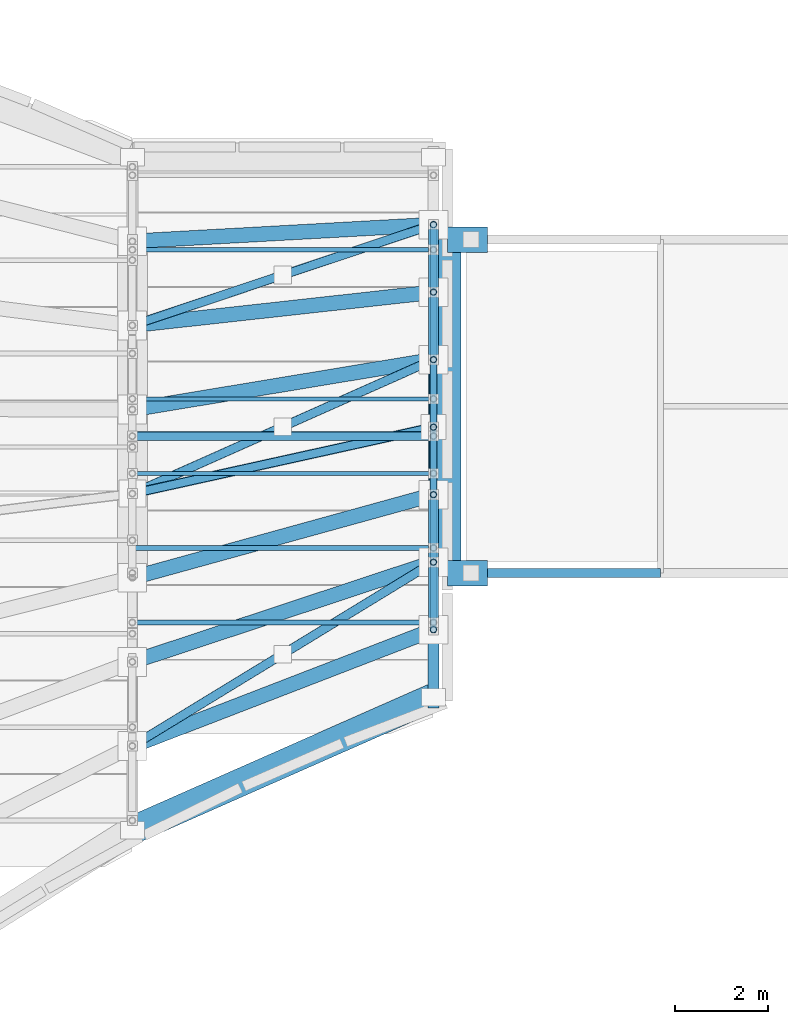
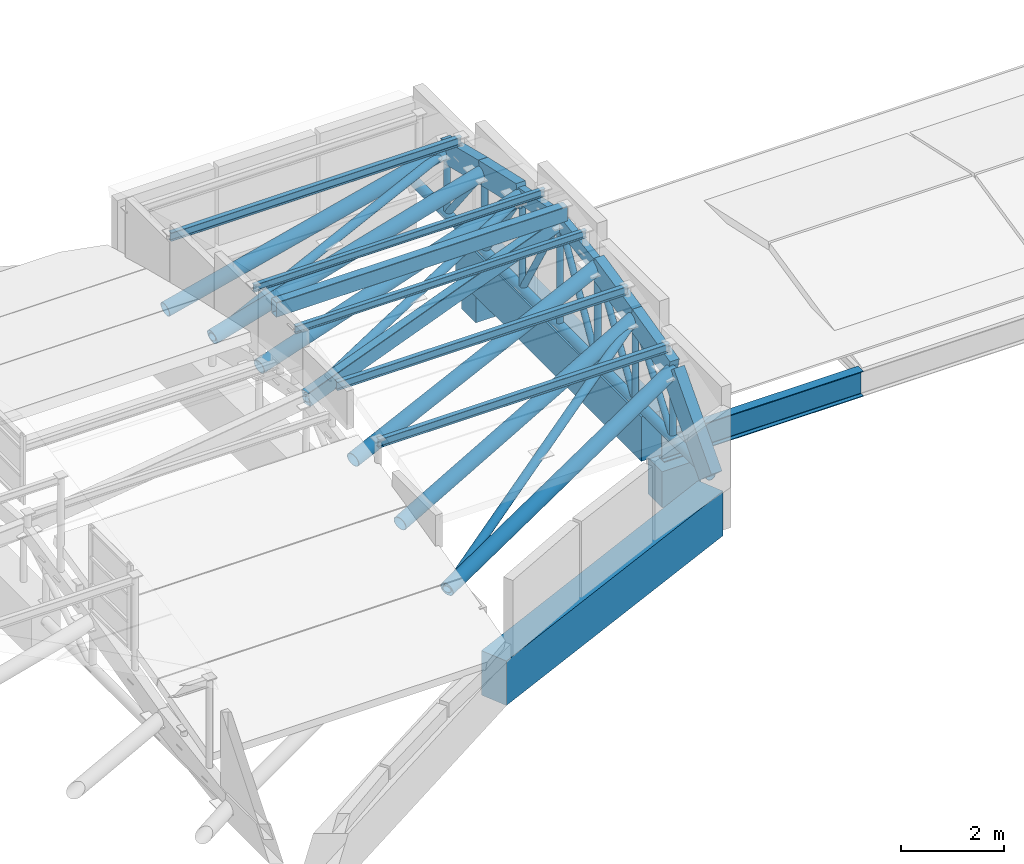
# One storey, part 106 of 188: 37 members, 5 beams.
"""IFC4 building model written with IfcOpenShell, lengths in metres."""

from ifc_helpers import new_model, si_unit, direction, frame, origin, origin_2d, place, context, subcontext, project, spatial, rectangle, hollow_rectangle, hollow_circle, i_section, extrude, material, material_profile, profile_set, type_object, element, save


model = new_model("IFC4")

# Units and contexts
model_context = context("Model", 3, precision=1e-05, world=origin(), true_north=direction((0.0, 1.0)))
body_context = subcontext(model_context, "Body", "Model", "MODEL_VIEW")
ifc_project = project(units=[si_unit("LENGTHUNIT", "METRE"), si_unit("AREAUNIT", "SQUARE_METRE"), si_unit("VOLUMEUNIT", "CUBIC_METRE"), si_unit("PLANEANGLEUNIT", "RADIAN"), si_unit("MASSUNIT", "GRAM", prefix="KILO")], contexts=[model_context])

# Site, building, storey
site_placement = place(None, origin())
site = spatial("IfcSite", under=ifc_project, at=site_placement, CompositionType="ELEMENT")
building_placement = place(site_placement, origin())
building = spatial("IfcBuilding", under=site, at=building_placement, Name="Kisaragi Civic Commons", CompositionType="ELEMENT")
storey_placement = place(building_placement, frame((0.0, 0.0, 9.60009765625)))
storey = spatial("IfcBuildingStorey", under=building, at=storey_placement, Name="L02", CompositionType="ELEMENT", Elevation=9.60009765625)

# Members
ifc_material_1 = material(Name="Steel SN400 (SN400B)", Category="steel")
ifc_material_profile_1 = material_profile(ifc_material_1, hollow_circle(Radius=0.095458984375, WallThickness=0.006103515625, at=origin_2d()), Name="CHS-190.7x6.0", Category="steel")
ifc_profile_set_1 = profile_set([ifc_material_profile_1], Name="Steel SN400 (SN400B)")
member_type_1 = type_object("IfcMemberType", Name="BR-06", PredefinedType="BRACE", material=ifc_profile_set_1)
member_1_placement = place(storey_placement, frame((47.60009765625, 100.66748046875, 0.15185546875), z_axis=(0.832061535014, 0.507943814925, 0.222860231602), x_axis=(-0.521047958715, 0.85352740127, 0.0)))
element("IfcMember", 1, at=member_1_placement, inside=storey, type_object=member_type_1, Name="V2 roof wind brace 7", PredefinedType="BRACE", context=body_context, shape_type="SweptSolid", body=[
    extrude(hollow_circle(Radius=0.095458984375, WallThickness=0.006103515625, at=origin_2d()), origin(), (0.0, 0.0, 1.0), 7.81201171875),
])
member_2_placement = place(storey_placement, frame((47.60009765625, 106.115478515625, 1.3603515625), z_axis=(0.908326990534, 0.40418231133, 0.107604542073), x_axis=(-0.406542790186, 0.913631741868, 0.0)))
element("IfcMember", 2, at=member_2_placement, inside=storey, type_object=member_type_1, Name="V2 roof wind brace 8", PredefinedType="BRACE", context=body_context, shape_type="SweptSolid", body=[
    extrude(hollow_circle(Radius=0.095458984375, WallThickness=0.006103515625, at=origin_2d()), origin(), (0.0, 0.0, 1.0), 7.156005859375),
])
member_3_placement = place(storey_placement, frame((47.60009765625, 109.747802734375, 0.60205078125), z_axis=(0.941355400905, 0.314963713614, 0.121028378054), x_axis=(-0.317296142453, 0.948326503892, 0.0)))
element("IfcMember", 3, at=member_3_placement, inside=storey, type_object=member_type_1, Name="V2 roof wind brace 9", PredefinedType="BRACE", context=body_context, shape_type="SweptSolid", body=[
    extrude(hollow_circle(Radius=0.095458984375, WallThickness=0.006103515625, at=origin_2d()), origin(), (0.0, 0.0, 1.0), 6.905029296875),
])

# Beams
ifc_material_2 = material(Name="Concrete Fc36", Category="concrete")
ifc_material_profile_2 = material_profile(ifc_material_2, rectangle(XDim=0.550048828125, YDim=0.85009765625, at=origin_2d()), Name="RC-550x850", Category="concrete")
ifc_profile_set_2 = profile_set([ifc_material_profile_2], Name="Concrete Fc36")
beam_type_1 = type_object("IfcBeamType", Name="CB-01", PredefinedType="BEAM", material=ifc_profile_set_2)
for number, where, z_axis, x_axis, name in (
    (4, (54.39990234375, 104.39990234375, -1.97998046875), (1.0, 0.0, 0.0), (0.0, 1.0, 0.0), "BR-V4-V2 L02 seismic corbel 35"),
    (5, (54.39990234375, 111.60009765625, -1.97998046875), (1.0, 0.0, 0.0), (0.0, 1.0, 0.0), "BR-V4-V2 L02 seismic corbel 40"),
):
    element("IfcBeam", number, at=place(storey_placement, frame(where, z_axis=z_axis, x_axis=x_axis)), inside=storey, type_object=beam_type_1, Name=name, PredefinedType="BEAM", context=body_context, shape_type="SweptSolid", body=[
        extrude(rectangle(XDim=0.550048828125, YDim=0.85009765625, at=origin_2d()), origin(), (0.0, 0.0, 1.0), 0.8701171875),
    ])
ifc_material_profile_3 = material_profile(ifc_material_2, rectangle(XDim=0.60009765625, YDim=1.050048828125, at=origin_2d()), Name="RC-600x1050", Category="concrete")
ifc_profile_set_3 = profile_set([ifc_material_profile_3], Name="Concrete Fc36")
beam_type_2 = type_object("IfcBeamType", Name="G-06", PredefinedType="BEAM", material=ifc_profile_set_3)
beam_1_placement = place(storey_placement, frame((54.39990234375, 104.39990234375, -0.84521484375), z_axis=(0.0, 1.0, 0.0), x_axis=(-1.0, 0.0, 0.0)))
element("IfcBeam", 6, at=beam_1_placement, inside=storey, type_object=beam_type_2, Name="L02 girder G-06 271", PredefinedType="BEAM", context=body_context, shape_type="SweptSolid", body=[
    extrude(rectangle(XDim=0.60009765625, YDim=1.050048828125, at=origin_2d()), origin(), (0.0, 0.0, 1.0), 7.2001953125),
])
beam_2_placement = place(storey_placement, frame((54.10009765625, 101.720458984375, -0.84521484375), z_axis=(-0.914840154072, -0.403816161758, 0.0), x_axis=(0.403816161758, -0.914840154072, 0.0)))
element("IfcBeam", 7, at=beam_2_placement, inside=storey, type_object=beam_type_2, Name="L02 curved spandrel/ring girder G-06 272", PredefinedType="BEAM", context=body_context, shape_type="SweptSolid", body=[
    extrude(rectangle(XDim=0.60009765625, YDim=1.050048828125, at=origin_2d()), origin(), (0.0, 0.0, 1.0), 7.10498046875),
])
ifc_material_3 = material(Name="Steel SN490 (SN490B)", Category="steel")
ifc_material_profile_4 = material_profile(ifc_material_3, i_section(OverallWidth=0.199951171875, OverallDepth=0.60009765625, WebThickness=0.010986328125, FlangeThickness=0.01708984375, FilletRadius=0.012939453125, at=origin_2d()), Name="H-600x200x11x17", Category="steel")
ifc_profile_set_4 = profile_set([ifc_material_profile_4], Name="Steel SN490 (SN490B)")
beam_type_3 = type_object("IfcBeamType", Name="G-10", PredefinedType="BEAM", material=ifc_profile_set_4)
beam_3_placement = place(storey_placement, frame((59.0, 104.39990234375, -1.190185546875), z_axis=(-1.0, 0.0, 0.0), x_axis=(0.0, -1.0, 0.0)))
element("IfcBeam", 8, at=beam_3_placement, inside=storey, type_object=beam_type_3, Name="BR-V4-V2 L02 bridge girder 34", PredefinedType="BEAM", context=body_context, shape_type="SweptSolid", body=[
    extrude(i_section(OverallWidth=0.199951171875, OverallDepth=0.60009765625, WebThickness=0.010986328125, FlangeThickness=0.01708984375, FilletRadius=0.012939453125, at=origin_2d()), origin(), (0.0, 0.0, 1.0), 4.449951171875),
])

# Members
ifc_material_profile_5 = material_profile(ifc_material_3, hollow_circle(Radius=0.1591796875, WallThickness=0.01025390625, at=origin_2d()), Name="CHS-318.5x10.3", Category="steel")
ifc_profile_set_5 = profile_set([ifc_material_profile_5], Name="Steel SN490 (SN490B)")
member_type_2 = type_object("IfcMemberType", Name="GC-03", PredefinedType="CHORD", material=ifc_profile_set_5)
member_4_placement = place(storey_placement, frame((47.60009765625, 100.66748046875, 0.15185546875), z_axis=(0.914989895933, 0.353396976408, 0.194689669489), x_axis=(-0.360291187891, 0.93283988976, 0.0)))
element("IfcMember", 9, at=member_4_placement, inside=storey, type_object=member_type_2, Name="V2 wave gridshell chord GC-03 50", PredefinedType="CHORD", context=body_context, shape_type="SweptSolid", body=[
    extrude(hollow_circle(Radius=0.1591796875, WallThickness=0.01025390625, at=origin_2d()), origin(), (0.0, 0.0, 1.0), 7.10400390625),
])
member_5_placement = place(storey_placement, frame((47.60009765625, 102.4833984375, 0.60205078125), z_axis=(0.932887701944, 0.308871885991, 0.185253052891), x_axis=(-0.314312365925, 0.94931961774, 0.0)))
element("IfcMember", 10, at=member_5_placement, inside=storey, type_object=member_type_2, Name="V2 wave gridshell chord GC-03 51", PredefinedType="CHORD", context=body_context, shape_type="SweptSolid", body=[
    extrude(hollow_circle(Radius=0.1591796875, WallThickness=0.01025390625, at=origin_2d()), origin(), (0.0, 0.0, 1.0), 6.967529296875),
])
member_6_placement = place(storey_placement, frame((47.60009765625, 104.299560546875, 1.004638671875), z_axis=(0.948833145265, 0.261763050329, 0.176623237227), x_axis=(-0.265944081217, 0.963988457226, 0.0)))
element("IfcMember", 11, at=member_6_placement, inside=storey, type_object=member_type_2, Name="V2 wave gridshell chord GC-03 52", PredefinedType="CHORD", context=body_context, shape_type="SweptSolid", body=[
    extrude(hollow_circle(Radius=0.1591796875, WallThickness=0.01025390625, at=origin_2d()), origin(), (0.0, 0.0, 1.0), 6.8505859375),
])
member_7_placement = place(storey_placement, frame((47.60009765625, 107.931640625, 1.004638671875), z_axis=(0.972476325845, 0.161007949381, 0.168422789155), x_axis=(-0.163341304535, 0.986569621584, 0.0)))
element("IfcMember", 12, at=member_7_placement, inside=storey, type_object=member_type_2, Name="V2 wave gridshell chord GC-03 54", PredefinedType="CHORD", context=body_context, shape_type="SweptSolid", body=[
    extrude(hollow_circle(Radius=0.1591796875, WallThickness=0.01025390625, at=origin_2d()), origin(), (0.0, 0.0, 1.0), 6.68408203125),
])
member_8_placement = place(storey_placement, frame((47.60009765625, 109.747802734375, 0.60205078125), z_axis=(0.97764391351, 0.107884533424, 0.18048076303), x_axis=(-0.109685736151, 0.993966316977, 0.0)))
element("IfcMember", 13, at=member_8_placement, inside=storey, type_object=member_type_2, Name="V2 wave gridshell chord GC-03 55", PredefinedType="CHORD", context=body_context, shape_type="SweptSolid", body=[
    extrude(hollow_circle(Radius=0.1591796875, WallThickness=0.01025390625, at=origin_2d()), origin(), (0.0, 0.0, 1.0), 6.648681640625),
])
member_9_placement = place(storey_placement, frame((47.60009765625, 111.56396484375, 0.15185546875), z_axis=(0.979554240075, 0.054047670473, 0.193784261661), x_axis=(-0.055091984872, 0.998481283351, 0.0)))
element("IfcMember", 14, at=member_9_placement, inside=storey, type_object=member_type_2, Name="V2 wave gridshell chord GC-03 56", PredefinedType="CHORD", context=body_context, shape_type="SweptSolid", body=[
    extrude(hollow_circle(Radius=0.1591796875, WallThickness=0.01025390625, at=origin_2d()), origin(), (0.0, 0.0, 1.0), 6.6357421875),
])
ifc_material_profile_6 = material_profile(ifc_material_3, hollow_rectangle(XDim=0.199951171875, YDim=0.35009765625, WallThickness=0.009033203125, InnerFilletRadius=0.009033203125, OuterFilletRadius=0.01806640625, at=origin_2d()), Name="STKR-350x200x9", Category="steel")
ifc_profile_set_6 = profile_set([ifc_material_profile_6], Name="Steel SN490 (SN490B)")
member_type_3 = type_object("IfcMemberType", Name="GC-04", PredefinedType="CHORD", material=ifc_profile_set_6)
member_10_placement = place(storey_placement, frame((47.60009765625, 107.357421875, 2.741943359375), z_axis=(1.0, 0.0, 0.0), x_axis=(0.0, 1.0, 0.0)))
element("IfcMember", 15, at=member_10_placement, inside=storey, type_object=member_type_3, Name="V2 east bay crown collector steel chord 8", PredefinedType="CHORD", context=body_context, shape_type="SweptSolid", body=[
    extrude(hollow_rectangle(XDim=0.199951171875, YDim=0.35009765625, WallThickness=0.009033203125, InnerFilletRadius=0.009033203125, OuterFilletRadius=0.01806640625, at=origin_2d()), origin(), (0.0, 0.0, 1.0), 6.5),
])
member_11_placement = place(storey_placement, frame((47.60009765625, 106.115478515625, 1.3603515625), z_axis=(0.964280070402, 0.212855843365, 0.157658922268), x_axis=(-0.215551612133, 0.976492448771, 0.0)))
element("IfcMember", 16, at=member_11_placement, inside=storey, type_object=member_type_3, Name="V2 wave gridshell chord GC-04 53", PredefinedType="CHORD", context=body_context, shape_type="SweptSolid", body=[
    extrude(hollow_rectangle(XDim=0.199951171875, YDim=0.35009765625, WallThickness=0.009033203125, InnerFilletRadius=0.009033203125, OuterFilletRadius=0.01806640625, at=origin_2d()), origin(), (0.0, 0.0, 1.0), 6.74072265625),
])
ifc_material_4 = material(Name="Glulam E120-F330", Category="wood")
ifc_material_profile_7 = material_profile(ifc_material_4, rectangle(XDim=0.239990234375, YDim=0.6298828125, at=origin_2d()), Name="GL-240x630", Category="wood")
ifc_profile_set_7 = profile_set([ifc_material_profile_7], Name="Glulam E120-F330")
member_type_4 = type_object("IfcMemberType", Name="GR-03", PredefinedType="RAFTER", material=ifc_profile_set_7)
member_12_placement = place(storey_placement, frame((54.10009765625, 101.720458984375, -0.080078125), z_axis=(0.0, 0.669987149511, 0.742372695814), x_axis=(-1.0, 0.0, 0.0)))
element("IfcMember", 17, at=member_12_placement, inside=storey, type_object=member_type_4, Name="V2 glulam arch rib GR-03 65", PredefinedType="RAFTER", context=body_context, shape_type="SweptSolid", body=[
    extrude(rectangle(XDim=0.239990234375, YDim=0.6298828125, at=origin_2d()), origin(), (0.0, 0.0, 1.0), 2.175537109375),
])
ifc_material_profile_8 = material_profile(ifc_material_4, rectangle(XDim=0.2099609375, YDim=0.5400390625, at=origin_2d()), Name="GL-210x540", Category="wood")
ifc_profile_set_8 = profile_set([ifc_material_profile_8], Name="Glulam E120-F330")
member_type_5 = type_object("IfcMemberType", Name="GR-04", PredefinedType="RAFTER", material=ifc_profile_set_8)
member_13_placement = place(storey_placement, frame((54.10009765625, 103.177978515625, 1.534912109375), z_axis=(0.0, 0.971148320389, 0.23847628772), x_axis=(-1.0, 0.0, 0.0)))
element("IfcMember", 18, at=member_13_placement, inside=storey, type_object=member_type_5, Name="V2 glulam arch rib GR-04 66", PredefinedType="RAFTER", context=body_context, shape_type="SweptSolid", body=[
    extrude(rectangle(XDim=0.2099609375, YDim=0.5400390625, at=origin_2d()), origin(), (0.0, 0.0, 1.0), 1.500732421875),
])
member_14_placement = place(storey_placement, frame((54.10009765625, 104.635498046875, 1.892822265625), z_axis=(0.0, 0.976478712959, 0.215613828728), x_axis=(-1.0, 0.0, 0.0)))
element("IfcMember", 19, at=member_14_placement, inside=storey, type_object=member_type_5, Name="V2 glulam arch rib GR-04 67", PredefinedType="RAFTER", context=body_context, shape_type="SweptSolid", body=[
    extrude(rectangle(XDim=0.2099609375, YDim=0.5400390625, at=origin_2d()), origin(), (0.0, 0.0, 1.0), 1.492431640625),
])
member_15_placement = place(storey_placement, frame((54.10009765625, 109.0078125, 2.13037109375), z_axis=(0.0, 0.975540581051, -0.219819413891), x_axis=(-1.0, 0.0, 0.0)))
element("IfcMember", 20, at=member_15_placement, inside=storey, type_object=member_type_5, Name="V2 glulam arch rib GR-04 70", PredefinedType="RAFTER", context=body_context, shape_type="SweptSolid", body=[
    extrude(rectangle(XDim=0.2099609375, YDim=0.5400390625, at=origin_2d()), origin(), (0.0, 0.0, 1.0), 1.493896484375),
])
member_16_placement = place(storey_placement, frame((54.10009765625, 110.465087890625, 1.802001953125), z_axis=(0.0, 0.9701616155, -0.242459150808), x_axis=(-1.0, 0.0, 0.0)))
element("IfcMember", 21, at=member_16_placement, inside=storey, type_object=member_type_5, Name="V2 glulam arch rib GR-04 71", PredefinedType="RAFTER", context=body_context, shape_type="SweptSolid", body=[
    extrude(rectangle(XDim=0.2099609375, YDim=0.5400390625, at=origin_2d()), origin(), (0.0, 0.0, 1.0), 1.50244140625),
])
ifc_material_profile_9 = material_profile(ifc_material_4, rectangle(XDim=0.14990234375, YDim=0.360107421875, at=origin_2d()), Name="GL-150x360", Category="wood")
ifc_profile_set_9 = profile_set([ifc_material_profile_9], Name="Glulam E120-F330")
member_type_6 = type_object("IfcMemberType", Name="GR-06", PredefinedType="RAFTER", material=ifc_profile_set_9)
member_17_placement = place(storey_placement, frame((54.10009765625, 106.0927734375, 2.214599609375), z_axis=(0.0, 0.989922945643, 0.141607067936), x_axis=(-1.0, 0.0, 0.0)))
element("IfcMember", 22, at=member_17_placement, inside=storey, type_object=member_type_6, Name="V2 glulam arch rib GR-06 68", PredefinedType="RAFTER", context=body_context, shape_type="SweptSolid", body=[
    extrude(rectangle(XDim=0.14990234375, YDim=0.360107421875, at=origin_2d()), origin(), (0.0, 0.0, 1.0), 1.472412109375),
])
member_18_placement = place(storey_placement, frame((54.10009765625, 107.55029296875, 2.423095703125), z_axis=(0.0, 0.980422449305, -0.19690561419), x_axis=(-1.0, 0.0, 0.0)))
element("IfcMember", 23, at=member_18_placement, inside=storey, type_object=member_type_6, Name="V2 glulam arch rib GR-06 69", PredefinedType="RAFTER", context=body_context, shape_type="SweptSolid", body=[
    extrude(rectangle(XDim=0.14990234375, YDim=0.360107421875, at=origin_2d()), origin(), (0.0, 0.0, 1.0), 1.486572265625),
])
ifc_material_profile_10 = material_profile(ifc_material_1, i_section(OverallWidth=0.10009765625, OverallDepth=0.199951171875, WebThickness=0.005615234375, FlangeThickness=0.008056640625, FilletRadius=0.008056640625, at=origin_2d()), Name="H-200x100x5.5x8", Category="steel")
ifc_profile_set_10 = profile_set([ifc_material_profile_10], Name="Steel SN400 (SN400B)")
member_type_7 = type_object("IfcMemberType", Name="PR-02", PredefinedType="PURLIN", material=ifc_profile_set_10)
for number, where, z_axis, x_axis, name in (
    (24, (47.60009765625, 103.334228515625, 1.992919921875), (1.0, 0.0, 0.0), (0.0, 1.0, 0.0), "V2 wave vault steel purlin 56"),
    (25, (47.60009765625, 104.943603515625, 2.374755859375), (1.0, 0.0, 0.0), (0.0, 1.0, 0.0), "V2 wave vault steel purlin 57"),
    (26, (47.60009765625, 111.38037109375, 1.992919921875), (1.0, 0.0, 0.0), (0.0, 1.0, 0.0), "V2 wave vault steel purlin 60"),
):
    element("IfcMember", number, at=place(storey_placement, frame(where, z_axis=z_axis, x_axis=x_axis)), inside=storey, type_object=member_type_7, Name=name, PredefinedType="PURLIN", context=body_context, shape_type="SweptSolid", body=[
        extrude(i_section(OverallWidth=0.10009765625, OverallDepth=0.199951171875, WebThickness=0.005615234375, FlangeThickness=0.008056640625, FilletRadius=0.008056640625, at=origin_2d()), origin(), (0.0, 0.0, 1.0), 6.5),
    ])
ifc_material_profile_11 = material_profile(ifc_material_1, i_section(OverallWidth=0.090087890625, OverallDepth=0.175048828125, WebThickness=0.0048828125, FlangeThickness=0.008056640625, FilletRadius=0.008056640625, at=origin_2d()), Name="H-175x90x5x8", Category="steel")
ifc_profile_set_11 = profile_set([ifc_material_profile_11], Name="Steel SN400 (SN400B)")
member_type_8 = type_object("IfcMemberType", Name="PR-03", PredefinedType="PURLIN", material=ifc_profile_set_11)
for number, where, z_axis, x_axis, name in (
    (27, (47.60009765625, 106.552734375, 2.7255859375), (1.0, 0.0, 0.0), (0.0, 1.0, 0.0), "V2 wave vault steel purlin 58"),
    (28, (47.60009765625, 108.161865234375, 2.7255859375), (1.0, 0.0, 0.0), (0.0, 1.0, 0.0), "V2 wave vault steel purlin 59"),
):
    element("IfcMember", number, at=place(storey_placement, frame(where, z_axis=z_axis, x_axis=x_axis)), inside=storey, type_object=member_type_8, Name=name, PredefinedType="PURLIN", context=body_context, shape_type="SweptSolid", body=[
        extrude(i_section(OverallWidth=0.090087890625, OverallDepth=0.175048828125, WebThickness=0.0048828125, FlangeThickness=0.008056640625, FilletRadius=0.008056640625, at=origin_2d()), origin(), (0.0, 0.0, 1.0), 6.5),
    ])
ifc_material_profile_12 = material_profile(ifc_material_3, hollow_circle(Radius=0.06982421875, WallThickness=0.006103515625, at=origin_2d()), Name="CHS-139.8x6.0", Category="steel")
ifc_profile_set_12 = profile_set([ifc_material_profile_12], Name="Steel SN490 (SN490B)")
member_type_9 = type_object("IfcMemberType", Name="ST-H1", PredefinedType="STRUT", material=ifc_profile_set_12)
member_19_placement = place(storey_placement, frame((54.10009765625, 103.177978515625, -0.080078125), z_axis=(0.0, 0.0, 1.0), x_axis=(1.0, 0.0, 0.0)))
element("IfcMember", 29, at=member_19_placement, inside=storey, type_object=member_type_9, Name="V2 arch tie hanger strut 113", PredefinedType="STRUT", context=body_context, shape_type="SweptSolid", body=[
    extrude(hollow_circle(Radius=0.06982421875, WallThickness=0.006103515625, at=origin_2d()), origin(), (0.0, 0.0, 1.0), 1.614990234375),
])
member_20_placement = place(storey_placement, frame((54.10009765625, 104.635498046875, -0.080078125), z_axis=(0.0, 0.0, 1.0), x_axis=(1.0, 0.0, 0.0)))
element("IfcMember", 30, at=member_20_placement, inside=storey, type_object=member_type_9, Name="V2 arch tie hanger strut 114", PredefinedType="STRUT", context=body_context, shape_type="SweptSolid", body=[
    extrude(hollow_circle(Radius=0.06982421875, WallThickness=0.006103515625, at=origin_2d()), origin(), (0.0, 0.0, 1.0), 1.972900390625),
])
member_21_placement = place(storey_placement, frame((54.10009765625, 106.0927734375, -0.080078125), z_axis=(0.0, 0.0, 1.0), x_axis=(1.0, 0.0, 0.0)))
element("IfcMember", 31, at=member_21_placement, inside=storey, type_object=member_type_9, Name="V2 arch tie hanger strut 115", PredefinedType="STRUT", context=body_context, shape_type="SweptSolid", body=[
    extrude(hollow_circle(Radius=0.06982421875, WallThickness=0.006103515625, at=origin_2d()), origin(), (0.0, 0.0, 1.0), 2.294677734375),
])
member_22_placement = place(storey_placement, frame((54.10009765625, 107.55029296875, -0.080078125), z_axis=(0.0, 0.0, 1.0), x_axis=(1.0, 0.0, 0.0)))
element("IfcMember", 32, at=member_22_placement, inside=storey, type_object=member_type_9, Name="V2 arch tie hanger strut 116", PredefinedType="STRUT", context=body_context, shape_type="SweptSolid", body=[
    extrude(hollow_circle(Radius=0.06982421875, WallThickness=0.006103515625, at=origin_2d()), origin(), (0.0, 0.0, 1.0), 2.503173828125),
])
member_23_placement = place(storey_placement, frame((54.10009765625, 109.0078125, -0.080078125), z_axis=(0.0, 0.0, 1.0), x_axis=(1.0, 0.0, 0.0)))
element("IfcMember", 33, at=member_23_placement, inside=storey, type_object=member_type_9, Name="V2 arch tie hanger strut 117", PredefinedType="STRUT", context=body_context, shape_type="SweptSolid", body=[
    extrude(hollow_circle(Radius=0.06982421875, WallThickness=0.006103515625, at=origin_2d()), origin(), (0.0, 0.0, 1.0), 2.21044921875),
])
member_24_placement = place(storey_placement, frame((54.10009765625, 110.465087890625, -0.080078125), z_axis=(0.0, 0.0, 1.0), x_axis=(1.0, 0.0, 0.0)))
element("IfcMember", 34, at=member_24_placement, inside=storey, type_object=member_type_9, Name="V2 arch tie hanger strut 118", PredefinedType="STRUT", context=body_context, shape_type="SweptSolid", body=[
    extrude(hollow_circle(Radius=0.06982421875, WallThickness=0.006103515625, at=origin_2d()), origin(), (0.0, 0.0, 1.0), 1.882080078125),
])
member_25_placement = place(storey_placement, frame((54.10009765625, 111.922607421875, -0.080078125), z_axis=(0.0, 0.0, 1.0), x_axis=(1.0, 0.0, 0.0)))
element("IfcMember", 35, at=member_25_placement, inside=storey, type_object=member_type_9, Name="V2 arch tie hanger strut 119", PredefinedType="STRUT", context=body_context, shape_type="SweptSolid", body=[
    extrude(hollow_circle(Radius=0.06982421875, WallThickness=0.006103515625, at=origin_2d()), origin(), (0.0, 0.0, 1.0), 1.517822265625),
])
member_26_placement = place(storey_placement, frame((54.10009765625, 103.177978515625, -0.080078125), z_axis=(0.0, 0.594203541055, 0.804314709425), x_axis=(-1.0, 0.0, 0.0)))
element("IfcMember", 36, at=member_26_placement, inside=storey, type_object=member_type_9, Name="V2 tied arch truss diagonal web strut 120", PredefinedType="STRUT", context=body_context, shape_type="SweptSolid", body=[
    extrude(hollow_circle(Radius=0.06982421875, WallThickness=0.006103515625, at=origin_2d()), origin(), (0.0, 0.0, 1.0), 2.452880859375),
])
member_27_placement = place(storey_placement, frame((54.10009765625, 104.635498046875, -0.080078125), z_axis=(0.0, 0.536096527974, 0.844156687289), x_axis=(-1.0, 0.0, 0.0)))
element("IfcMember", 37, at=member_27_placement, inside=storey, type_object=member_type_9, Name="V2 tied arch truss diagonal web strut 121", PredefinedType="STRUT", context=body_context, shape_type="SweptSolid", body=[
    extrude(hollow_circle(Radius=0.06982421875, WallThickness=0.006103515625, at=origin_2d()), origin(), (0.0, 0.0, 1.0), 2.71826171875),
])
for number, where, z_axis, x_axis, name in (
    (38, (54.10009765625, 106.0927734375, -0.080078125), (0.0, 0.503184354545, 0.864179093325), (-1.0, 0.0, 0.0), "V2 tied arch truss diagonal web strut 122"),
    (39, (54.10009765625, 109.0078125, -0.080078125), (0.0, -0.503184354545, 0.864179093325), (1.0, 0.0, 0.0), "V2 tied arch truss diagonal web strut 123"),
):
    element("IfcMember", number, at=place(storey_placement, frame(where, z_axis=z_axis, x_axis=x_axis)), inside=storey, type_object=member_type_9, Name=name, PredefinedType="STRUT", context=body_context, shape_type="SweptSolid", body=[
        extrude(hollow_circle(Radius=0.06982421875, WallThickness=0.006103515625, at=origin_2d()), origin(), (0.0, 0.0, 1.0), 2.896484375),
    ])
member_28_placement = place(storey_placement, frame((54.10009765625, 110.465087890625, -0.080078125), z_axis=(0.0, -0.550415631717, 0.83489079068), x_axis=(1.0, 0.0, 0.0)))
element("IfcMember", 40, at=member_28_placement, inside=storey, type_object=member_type_9, Name="V2 tied arch truss diagonal web strut 124", PredefinedType="STRUT", context=body_context, shape_type="SweptSolid", body=[
    extrude(hollow_circle(Radius=0.06982421875, WallThickness=0.006103515625, at=origin_2d()), origin(), (0.0, 0.0, 1.0), 2.647705078125),
])
member_29_placement = place(storey_placement, frame((54.10009765625, 111.922607421875, -0.080078125), z_axis=(0.0, -0.612284888844, 0.790637220787), x_axis=(1.0, 0.0, 0.0)))
element("IfcMember", 41, at=member_29_placement, inside=storey, type_object=member_type_9, Name="V2 tied arch truss diagonal web strut 125", PredefinedType="STRUT", context=body_context, shape_type="SweptSolid", body=[
    extrude(hollow_circle(Radius=0.06982421875, WallThickness=0.006103515625, at=origin_2d()), origin(), (0.0, 0.0, 1.0), 2.38037109375),
])
ifc_material_profile_13 = material_profile(ifc_material_3, hollow_circle(Radius=0.108154296875, WallThickness=0.008056640625, at=origin_2d()), Name="CHS-216.3x8.0", Category="steel")
ifc_profile_set_13 = profile_set([ifc_material_profile_13], Name="Steel SN490 (SN490B)")
member_type_10 = type_object("IfcMemberType", Name="ST-T2", PredefinedType="STRUT", material=ifc_profile_set_13)
member_30_placement = place(storey_placement, frame((54.10009765625, 101.720458984375, -0.080078125), z_axis=(0.0, 1.0, 0.0), x_axis=(-1.0, 0.0, 0.0)))
element("IfcMember", 42, at=member_30_placement, inside=storey, type_object=member_type_10, Name="V2 arch tension tie ST-T2 112", PredefinedType="STRUT", context=body_context, shape_type="SweptSolid", body=[
    extrude(hollow_circle(Radius=0.108154296875, WallThickness=0.008056640625, at=origin_2d()), origin(), (0.0, 0.0, 1.0), 11.659423828125),
])

save(model, "model.ifc")
